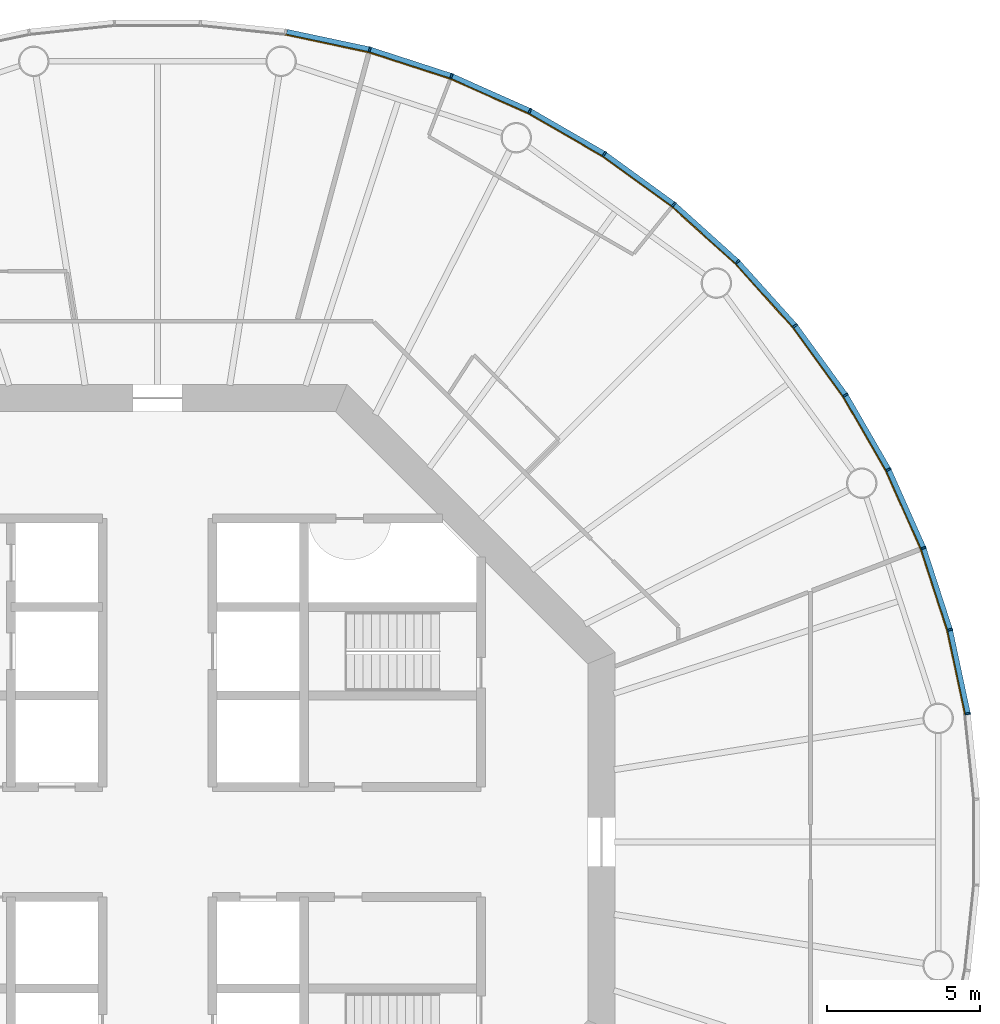
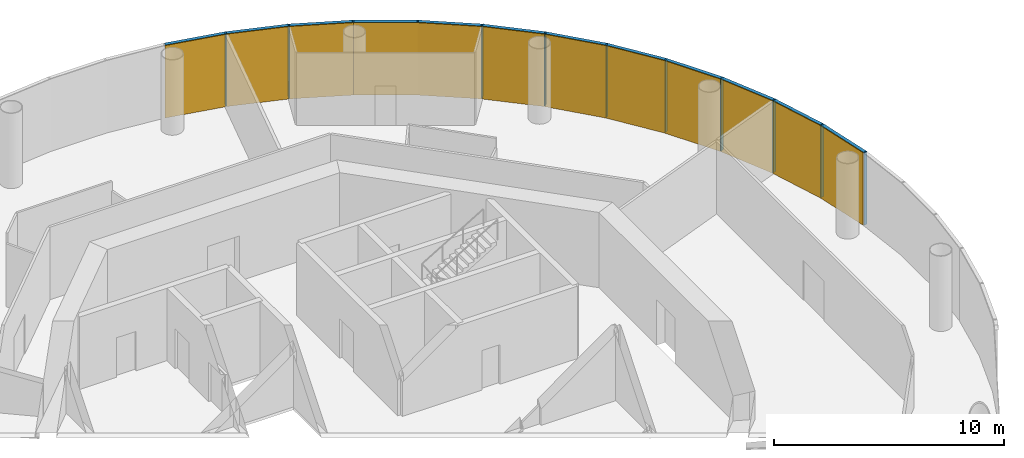
# One storey, part 11 of 12: 24 members, 4 curtain walls.
"""IFC4 building model written with IfcOpenShell, lengths in metres."""

from ifc_helpers import new_model, si_unit, direction, frame, origin, origin_2d, place, context, subcontext, project, spatial, polyline, rectangle, outline, extrude, material, layer, layer_set, material_profile, profile_set, type_object, element, aggregate, save


model = new_model("IFC4")

# Units and contexts
model_context = context("Model", 3, precision=1e-05, world=origin(), true_north=direction((0.0, 1.0)))
body_context = subcontext(model_context, "Body", "Model", "MODEL_VIEW")
ifc_project = project(units=[si_unit("LENGTHUNIT", "METRE"), si_unit("AREAUNIT", "SQUARE_METRE"), si_unit("VOLUMEUNIT", "CUBIC_METRE"), si_unit("PLANEANGLEUNIT", "RADIAN"), si_unit("MASSUNIT", "GRAM", prefix="KILO")], contexts=[model_context])

# Member
ifc_material_1 = material(Name="Anodised aluminium", Category="aluminium")
ifc_material_profile_1 = material_profile(ifc_material_1, rectangle(XDim=0.06005859375, YDim=0.169921875, at=origin_2d()), Name="Mullion 60 x 170 mm anodised aluminium")
ifc_profile_set_1 = profile_set([ifc_material_profile_1], Name="Anodised aluminium")
member_type_1 = type_object("IfcMemberType", Name="Mullion 60 x 170 mm anodised aluminium", PredefinedType="MULLION", material=ifc_profile_set_1)
site_placement = place(None, origin())
building_placement = place(site_placement, origin())
storey_placement = place(building_placement, frame((0.0, 0.0, 210.0)))
member_1_placement = place(storey_placement, frame((116.553955078125, 84.205810546875, 0.0), z_axis=(0.0, 0.0, 1.0), x_axis=(-0.15643446504, 0.987688340595, 0.0)))
member_1 = element("IfcMember", 1, at=member_1_placement, type_object=member_type_1, Name="MULLION L48-00", PredefinedType="MULLION", context=body_context, shape_type="SweptSolid", body=[
    extrude(rectangle(XDim=0.06005859375, YDim=0.169921875, at=origin_2d()), origin(), (0.0, 0.0, 1.0), 3.85009765625),
])

member_2_placement = place(storey_placement, frame((115.968994140625, 86.958251953125, 0.0), z_axis=(0.0, 0.0, 1.0), x_axis=(-0.258819045103, 0.965925826289, 0.0)))
member_2 = element("IfcMember", 2, at=member_2_placement, type_object=member_type_1, Name="MULLION L48-01", PredefinedType="MULLION", context=body_context, shape_type="SweptSolid", body=[
    extrude(rectangle(XDim=0.06005859375, YDim=0.169921875, at=origin_2d()), origin(), (0.0, 0.0, 1.0), 3.85009765625),
])

member_3_placement = place(storey_placement, frame((115.099365234375, 89.634765625, 0.0), z_axis=(0.0, 0.0, 1.0), x_axis=(-0.358367949545, 0.933580426497, 0.0)))
member_3 = element("IfcMember", 3, at=member_3_placement, type_object=member_type_1, Name="MULLION L48-02", PredefinedType="MULLION", context=body_context, shape_type="SweptSolid", body=[
    extrude(rectangle(XDim=0.06005859375, YDim=0.169921875, at=origin_2d()), origin(), (0.0, 0.0, 1.0), 3.85009765625),
])

member_4_placement = place(storey_placement, frame((113.95458984375, 92.20556640625, 0.0), z_axis=(0.0, 0.0, 1.0), x_axis=(-0.45399049974, 0.891006524188, 0.0)))
member_4 = element("IfcMember", 4, at=member_4_placement, type_object=member_type_1, Name="MULLION L48-03", PredefinedType="MULLION", context=body_context, shape_type="SweptSolid", body=[
    extrude(rectangle(XDim=0.06005859375, YDim=0.169921875, at=origin_2d()), origin(), (0.0, 0.0, 1.0), 3.85009765625),
])

member_5_placement = place(storey_placement, frame((112.547607421875, 94.642578125, 0.0), z_axis=(0.0, 0.0, 1.0), x_axis=(-0.544639035015, 0.838670567945, 0.0)))
member_5 = element("IfcMember", 5, at=member_5_placement, type_object=member_type_1, Name="MULLION L48-04", PredefinedType="MULLION", context=body_context, shape_type="SweptSolid", body=[
    extrude(rectangle(XDim=0.06005859375, YDim=0.169921875, at=origin_2d()), origin(), (0.0, 0.0, 1.0), 3.85009765625),
])

member_6_placement = place(storey_placement, frame((110.8935546875, 96.919189453125, 0.0), z_axis=(0.0, 0.0, 1.0), x_axis=(-0.62932039105, 0.777145961457, 0.0)))
member_6 = element("IfcMember", 6, at=member_6_placement, type_object=member_type_1, Name="MULLION L48-05", PredefinedType="MULLION", context=body_context, shape_type="SweptSolid", body=[
    extrude(rectangle(XDim=0.06005859375, YDim=0.169921875, at=origin_2d()), origin(), (0.0, 0.0, 1.0), 3.85009765625),
])

member_7_placement = place(storey_placement, frame((109.010498046875, 99.010498046875, 0.0), z_axis=(0.0, 0.0, 1.0), x_axis=(-0.707106781187, 0.707106781187, 0.0)))
member_7 = element("IfcMember", 7, at=member_7_placement, type_object=member_type_1, Name="MULLION L48-06", PredefinedType="MULLION", context=body_context, shape_type="SweptSolid", body=[
    extrude(rectangle(XDim=0.06005859375, YDim=0.169921875, at=origin_2d()), origin(), (0.0, 0.0, 1.0), 3.85009765625),
])

member_8_placement = place(storey_placement, frame((106.919189453125, 100.8935546875, 0.0), z_axis=(0.0, 0.0, 1.0), x_axis=(-0.777145961457, 0.62932039105, 0.0)))
member_8 = element("IfcMember", 8, at=member_8_placement, type_object=member_type_1, Name="MULLION L48-07", PredefinedType="MULLION", context=body_context, shape_type="SweptSolid", body=[
    extrude(rectangle(XDim=0.06005859375, YDim=0.169921875, at=origin_2d()), origin(), (0.0, 0.0, 1.0), 3.85009765625),
])

member_9_placement = place(storey_placement, frame((104.642578125, 102.547607421875, 0.0), z_axis=(0.0, 0.0, 1.0), x_axis=(-0.838670567945, 0.544639035015, 0.0)))
member_9 = element("IfcMember", 9, at=member_9_placement, type_object=member_type_1, Name="MULLION L48-08", PredefinedType="MULLION", context=body_context, shape_type="SweptSolid", body=[
    extrude(rectangle(XDim=0.06005859375, YDim=0.169921875, at=origin_2d()), origin(), (0.0, 0.0, 1.0), 3.85009765625),
])

member_10_placement = place(storey_placement, frame((102.20556640625, 103.95458984375, 0.0), z_axis=(0.0, 0.0, 1.0), x_axis=(-0.891006524188, 0.45399049974, 0.0)))
member_10 = element("IfcMember", 10, at=member_10_placement, type_object=member_type_1, Name="MULLION L48-09", PredefinedType="MULLION", context=body_context, shape_type="SweptSolid", body=[
    extrude(rectangle(XDim=0.06005859375, YDim=0.169921875, at=origin_2d()), origin(), (0.0, 0.0, 1.0), 3.85009765625),
])

member_11_placement = place(storey_placement, frame((99.634765625, 105.099365234375, 0.0), z_axis=(0.0, 0.0, 1.0), x_axis=(-0.933580426497, 0.358367949545, 0.0)))
member_11 = element("IfcMember", 11, at=member_11_placement, type_object=member_type_1, Name="MULLION L48-10", PredefinedType="MULLION", context=body_context, shape_type="SweptSolid", body=[
    extrude(rectangle(XDim=0.06005859375, YDim=0.169921875, at=origin_2d()), origin(), (0.0, 0.0, 1.0), 3.85009765625),
])

member_12_placement = place(storey_placement, frame((96.958251953125, 105.968994140625, 0.0), z_axis=(0.0, 0.0, 1.0), x_axis=(-0.965925826289, 0.258819045103, 0.0)))
member_12 = element("IfcMember", 12, at=member_12_placement, type_object=member_type_1, Name="MULLION L48-11", PredefinedType="MULLION", context=body_context, shape_type="SweptSolid", body=[
    extrude(rectangle(XDim=0.06005859375, YDim=0.169921875, at=origin_2d()), origin(), (0.0, 0.0, 1.0), 3.85009765625),
])

ifc_material_2 = material(Name="Anodised aluminium", Category="aluminium")
ifc_material_profile_2 = material_profile(ifc_material_2, rectangle(XDim=0.169921875, YDim=0.1650390625, at=origin_2d()), Name="Transom 165 x 170 mm anodised aluminium")
ifc_profile_set_2 = profile_set([ifc_material_profile_2], Name="Anodised aluminium")
member_type_2 = type_object("IfcMemberType", Name="Transom 165 x 170 mm anodised aluminium", PredefinedType="USERDEFINED", material=ifc_profile_set_2)
member_13_placement = place(storey_placement, frame((116.546875, 84.239501953125, 3.767578125), z_axis=(-0.207937468562, 0.97814212115, 0.0), x_axis=(-0.97814212115, -0.207937468562, 0.0)))
member_13 = element("IfcMember", 13, at=member_13_placement, type_object=member_type_2, Name="TRANSOM L48-00", ObjectType="TRANSOM", PredefinedType="USERDEFINED", context=body_context, shape_type="SweptSolid", body=[
    extrude(rectangle(XDim=0.169921875, YDim=0.1650390625, at=origin_2d()), origin(), (0.0, 0.0, 1.0), 2.7451171875),
])

member_14_placement = place(storey_placement, frame((115.95849609375, 86.9912109375, 3.767578125), z_axis=(-0.309041831781, 0.951048445774, 0.0), x_axis=(-0.951048445774, -0.309041831781, 0.0)))
member_14 = element("IfcMember", 14, at=member_14_placement, type_object=member_type_2, Name="TRANSOM L48-01", ObjectType="TRANSOM", PredefinedType="USERDEFINED", context=body_context, shape_type="SweptSolid", body=[
    extrude(rectangle(XDim=0.169921875, YDim=0.1650390625, at=origin_2d()), origin(), (0.0, 0.0, 1.0), 2.7451171875),
])

member_15_placement = place(storey_placement, frame((115.08544921875, 89.666259765625, 3.767578125), z_axis=(-0.406781987391, 0.913525267704, 0.0), x_axis=(-0.913525267704, -0.406781987391, 0.0)))
member_15 = element("IfcMember", 15, at=member_15_placement, type_object=member_type_2, Name="TRANSOM L48-02", ObjectType="TRANSOM", PredefinedType="USERDEFINED", context=body_context, shape_type="SweptSolid", body=[
    extrude(rectangle(XDim=0.169921875, YDim=0.1650390625, at=origin_2d()), origin(), (0.0, 0.0, 1.0), 2.7451171875),
])

member_16_placement = place(storey_placement, frame((113.9375, 92.2353515625, 3.767578125), z_axis=(-0.49998419723, 0.866034527326, 0.0), x_axis=(-0.866034527326, -0.49998419723, 0.0)))
member_16 = element("IfcMember", 16, at=member_16_placement, type_object=member_type_2, Name="TRANSOM L48-03", ObjectType="TRANSOM", PredefinedType="USERDEFINED", context=body_context, shape_type="SweptSolid", body=[
    extrude(rectangle(XDim=0.169921875, YDim=0.1650390625, at=origin_2d()), origin(), (0.0, 0.0, 1.0), 2.7451171875),
])

member_17_placement = place(storey_placement, frame((112.527587890625, 94.670654296875, 3.767578125), z_axis=(-0.587864947412, 0.808959086484, 0.0), x_axis=(-0.808959086484, -0.587864947412, 0.0)))
member_17 = element("IfcMember", 17, at=member_17_placement, type_object=member_type_2, Name="TRANSOM L48-04", ObjectType="TRANSOM", PredefinedType="USERDEFINED", context=body_context, shape_type="SweptSolid", body=[
    extrude(rectangle(XDim=0.169921875, YDim=0.1650390625, at=origin_2d()), origin(), (0.0, 0.0, 1.0), 2.7451171875),
])

member_18_placement = place(storey_placement, frame((110.87060546875, 96.945068359375, 3.767578125), z_axis=(-0.669141598561, 0.743134927907, 0.0), x_axis=(-0.743134927907, -0.669141598561, 0.0)))
member_18 = element("IfcMember", 18, at=member_18_placement, type_object=member_type_2, Name="TRANSOM L48-05", ObjectType="TRANSOM", PredefinedType="USERDEFINED", context=body_context, shape_type="SweptSolid", body=[
    extrude(rectangle(XDim=0.169921875, YDim=0.1650390625, at=origin_2d()), origin(), (0.0, 0.0, 1.0), 2.7451171875),
])

member_19_placement = place(storey_placement, frame((108.985107421875, 99.03369140625, 3.767578125), z_axis=(-0.743134927907, 0.669141598561, 0.0), x_axis=(-0.669141598561, -0.743134927907, 0.0)))
member_19 = element("IfcMember", 19, at=member_19_placement, type_object=member_type_2, Name="TRANSOM L48-06", ObjectType="TRANSOM", PredefinedType="USERDEFINED", context=body_context, shape_type="SweptSolid", body=[
    extrude(rectangle(XDim=0.169921875, YDim=0.1650390625, at=origin_2d()), origin(), (0.0, 0.0, 1.0), 2.7451171875),
])

member_20_placement = place(storey_placement, frame((106.891357421875, 100.913818359375, 3.767578125), z_axis=(-0.808959086484, 0.587864947412, 0.0), x_axis=(-0.587864947412, -0.808959086484, 0.0)))
member_20 = element("IfcMember", 20, at=member_20_placement, type_object=member_type_2, Name="TRANSOM L48-07", ObjectType="TRANSOM", PredefinedType="USERDEFINED", context=body_context, shape_type="SweptSolid", body=[
    extrude(rectangle(XDim=0.169921875, YDim=0.1650390625, at=origin_2d()), origin(), (0.0, 0.0, 1.0), 2.7451171875),
])

member_21_placement = place(storey_placement, frame((104.61279296875, 102.56494140625, 3.767578125), z_axis=(-0.866034527326, 0.49998419723, 0.0), x_axis=(-0.49998419723, -0.866034527326, 0.0)))
member_21 = element("IfcMember", 21, at=member_21_placement, type_object=member_type_2, Name="TRANSOM L48-08", ObjectType="TRANSOM", PredefinedType="USERDEFINED", context=body_context, shape_type="SweptSolid", body=[
    extrude(rectangle(XDim=0.169921875, YDim=0.1650390625, at=origin_2d()), origin(), (0.0, 0.0, 1.0), 2.7451171875),
])

member_22_placement = place(storey_placement, frame((102.174072265625, 103.96875, 3.767578125), z_axis=(-0.913525267704, 0.406781987391, 0.0), x_axis=(-0.406781987391, -0.913525267704, 0.0)))
member_22 = element("IfcMember", 22, at=member_22_placement, type_object=member_type_2, Name="TRANSOM L48-09", ObjectType="TRANSOM", PredefinedType="USERDEFINED", context=body_context, shape_type="SweptSolid", body=[
    extrude(rectangle(XDim=0.169921875, YDim=0.1650390625, at=origin_2d()), origin(), (0.0, 0.0, 1.0), 2.7451171875),
])

member_23_placement = place(storey_placement, frame((99.60205078125, 105.110107421875, 3.767578125), z_axis=(-0.951048445774, 0.309041831781, 0.0), x_axis=(-0.309041831781, -0.951048445774, 0.0)))
member_23 = element("IfcMember", 23, at=member_23_placement, type_object=member_type_2, Name="TRANSOM L48-10", ObjectType="TRANSOM", PredefinedType="USERDEFINED", context=body_context, shape_type="SweptSolid", body=[
    extrude(rectangle(XDim=0.169921875, YDim=0.1650390625, at=origin_2d()), origin(), (0.0, 0.0, 1.0), 2.7451171875),
])

member_24_placement = place(storey_placement, frame((96.924560546875, 105.97607421875, 3.767578125), z_axis=(-0.97814212115, 0.207937468562, 0.0), x_axis=(-0.207937468562, -0.97814212115, 0.0)))
member_24 = element("IfcMember", 24, at=member_24_placement, type_object=member_type_2, Name="TRANSOM L48-11", ObjectType="TRANSOM", PredefinedType="USERDEFINED", context=body_context, shape_type="SweptSolid", body=[
    extrude(rectangle(XDim=0.169921875, YDim=0.1650390625, at=origin_2d()), origin(), (0.0, 0.0, 1.0), 2.7451171875),
])

# Site, building, storey
site = spatial("IfcSite", under=ifc_project, at=site_placement, CompositionType="ELEMENT")
building = spatial("IfcBuilding", under=site, at=building_placement, Name="Entoto Ring Tower", CompositionType="ELEMENT")
storey = spatial("IfcBuildingStorey", under=building, at=storey_placement, Name="L48", CompositionType="ELEMENT", Elevation=210.0)

# Curtain wall
ifc_material_3 = material(Name="Clear low-iron glass", Category="glass")
ifc_layer = layer(ifc_material_3, 0.031982421875)
ifc_layer_set = layer_set([ifc_layer], Name="Clear low-iron glass")
curtain_wall_type = type_object("IfcCurtainWallType", Name="Curtain wall system CW4 glazing 32 mm", PredefinedType="NOTDEFINED", material=ifc_layer_set)
curtain_wall_1_placement = place(storey_placement, origin())
curtain_wall_1 = element("IfcCurtainWall", 25, at=curtain_wall_1_placement, inside=storey, type_object=curtain_wall_type, Name="CW4 L48-01", PredefinedType="NOTDEFINED", context=body_context, shape_type="SweptSolid", body=[
    extrude(outline(polyline([(116.469970703125, 84.1923828125), (115.88671875, 86.936279296875), (115.02001953125, 89.604248046875), (113.87890625, 92.1669921875), (113.850341796875, 92.15234375), (114.989990234375, 89.5927734375), (115.85595703125, 86.927978515625), (116.4384765625, 84.1875), (116.469970703125, 84.1923828125)])), origin(), (0.0, 0.0, 1.0), 3.85009765625),
])

aggregate(curtain_wall_1, [member_1, member_2, member_3, member_13, member_14, member_15])

curtain_wall_2_placement = place(storey_placement, origin())
curtain_wall_2 = element("IfcCurtainWall", 26, at=curtain_wall_2_placement, inside=storey, type_object=curtain_wall_type, Name="CW4 L48-02", PredefinedType="NOTDEFINED", context=body_context, shape_type="SweptSolid", body=[
    extrude(outline(polyline([(113.87890625, 92.1669921875), (112.476318359375, 94.596435546875), (110.827392578125, 96.86572265625), (108.950439453125, 98.950439453125), (108.927734375, 98.927734375), (110.802490234375, 96.845703125), (112.449462890625, 94.578857421875), (113.850341796875, 92.15234375), (113.87890625, 92.1669921875)])), origin(), (0.0, 0.0, 1.0), 3.85009765625),
])

aggregate(curtain_wall_2, [member_4, member_5, member_6, member_16, member_17, member_18])

curtain_wall_3_placement = place(storey_placement, origin())
curtain_wall_3 = element("IfcCurtainWall", 27, at=curtain_wall_3_placement, inside=storey, type_object=curtain_wall_type, Name="CW4 L48-03", PredefinedType="NOTDEFINED", context=body_context, shape_type="SweptSolid", body=[
    extrude(outline(polyline([(108.950439453125, 98.950439453125), (106.86572265625, 100.827392578125), (104.596435546875, 102.476318359375), (102.1669921875, 103.87890625), (102.15234375, 103.850341796875), (104.578857421875, 102.449462890625), (106.845703125, 100.802490234375), (108.927734375, 98.927734375), (108.950439453125, 98.950439453125)])), origin(), (0.0, 0.0, 1.0), 3.85009765625),
])

aggregate(curtain_wall_3, [member_7, member_8, member_9, member_19, member_20, member_21])

curtain_wall_4_placement = place(storey_placement, origin())
curtain_wall_4 = element("IfcCurtainWall", 28, at=curtain_wall_4_placement, inside=storey, type_object=curtain_wall_type, Name="CW4 L48-04", PredefinedType="NOTDEFINED", context=body_context, shape_type="SweptSolid", body=[
    extrude(outline(polyline([(102.1669921875, 103.87890625), (99.604248046875, 105.02001953125), (96.936279296875, 105.88671875), (94.1923828125, 106.469970703125), (94.1875, 106.4384765625), (96.927978515625, 105.85595703125), (99.5927734375, 104.989990234375), (102.15234375, 103.850341796875), (102.1669921875, 103.87890625)])), origin(), (0.0, 0.0, 1.0), 3.85009765625),
])

aggregate(curtain_wall_4, [member_10, member_11, member_12, member_22, member_23, member_24])

save(model, "model.ifc")
